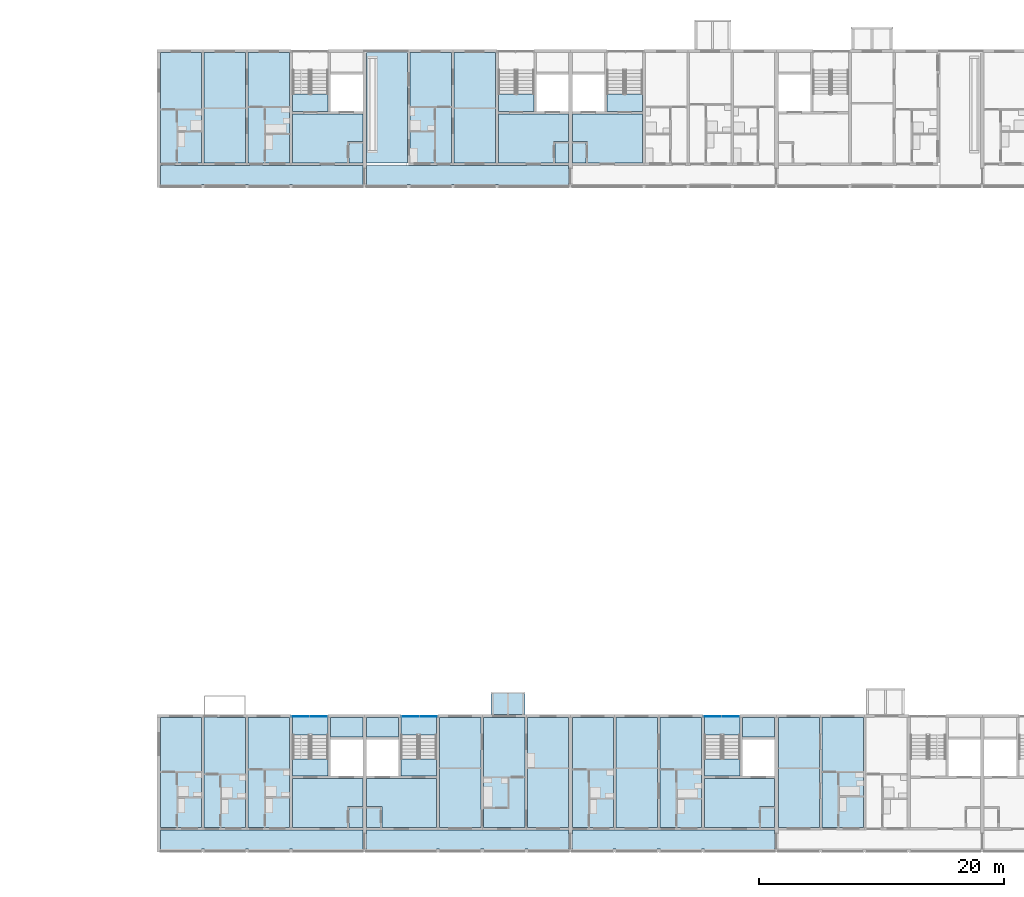
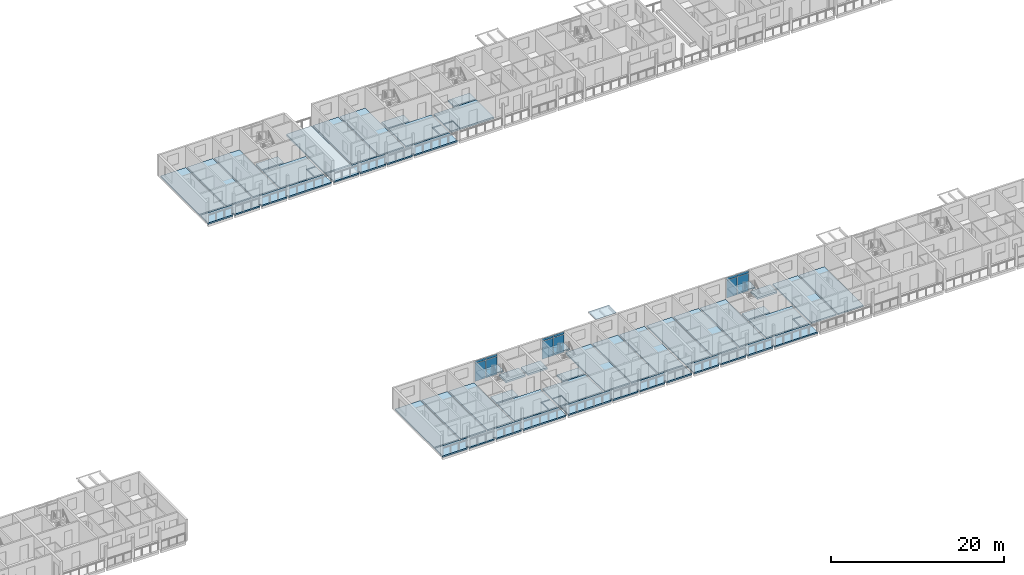
# One storey, part 26 of 94: 47 slabs, 12 plates, 6 elements without a shape of their own.
"""IFC4 building model written with IfcOpenShell, lengths in metres."""

from ifc_helpers import new_model, si_unit, direction, frame, origin, origin_2d, place, context, subcontext, project, spatial, polyline, rectangle, outline, extrude, material, layer, layer_set, type_object, element, aggregate, save


model = new_model("IFC4")

# Units and contexts
model_context = context("Model", 3, precision=1e-05, world=origin(), true_north=direction((0.0, 1.0)))
body_context = subcontext(model_context, "Body", "Model", "MODEL_VIEW")
ifc_project = project(units=[si_unit("LENGTHUNIT", "METRE"), si_unit("AREAUNIT", "SQUARE_METRE"), si_unit("VOLUMEUNIT", "CUBIC_METRE"), si_unit("PLANEANGLEUNIT", "RADIAN"), si_unit("MASSUNIT", "GRAM", prefix="KILO")], contexts=[model_context])

# Site, building, storey
site_placement = place(None, origin())
site = spatial("IfcSite", under=ifc_project, at=site_placement, CompositionType="ELEMENT")
building_placement = place(site_placement, origin())
building = spatial("IfcBuilding", under=site, at=building_placement, Name="Ridgestep Commons", CompositionType="ELEMENT")
storey_placement = place(building_placement, frame((0.0, 0.0, 21.0)))
storey = spatial("IfcBuildingStorey", under=building, at=storey_placement, Name="L07", CompositionType="ELEMENT", Elevation=21.0)

# Slabs
ifc_material_1 = material(Name="Precast concrete C40/50", Category="concrete")
ifc_layer_1 = layer(ifc_material_1, 0.199951171875)
ifc_layer_set_1 = layer_set([ifc_layer_1], Name="Gallery slab 200")
slab_type_1 = type_object("IfcSlabType", Name="Gallery slab 200", PredefinedType="FLOOR", material=ifc_layer_set_1)
slab_1_placement = place(storey_placement, frame((0.0, 0.0, -0.199951171875)))
element("IfcSlab", 1, at=slab_1_placement, inside=storey, type_object=slab_type_1, Name="Gallery slab C1 L07", PredefinedType="FLOOR", context=body_context, shape_type="SweptSolid", body=[
    extrude(outline(polyline([(163.449951171875, 67.800048828125), (146.949951171875, 67.800048828125), (146.949951171875, 66.0), (150.27490234375, 66.0), (150.27490234375, 66.25), (150.52490234375, 66.25), (150.52490234375, 66.0), (153.875, 66.0), (153.875, 66.25), (154.125, 66.25), (154.125, 66.0), (157.47509765625, 66.0), (157.47509765625, 66.25), (157.72509765625, 66.25), (157.72509765625, 66.0), (163.449951171875, 66.0), (163.449951171875, 67.800048828125)])), origin(), (0.0, 0.0, 1.0), 0.199951171875),
])
slab_2_placement = place(storey_placement, frame((0.0, 0.0, -0.199951171875)))
element("IfcSlab", 2, at=slab_2_placement, inside=storey, type_object=slab_type_1, Name="Gallery slab C2 L07", PredefinedType="FLOOR", context=body_context, shape_type="SweptSolid", body=[
    extrude(outline(polyline([(180.25, 67.800048828125), (163.75, 67.800048828125), (163.75, 66.0), (167.074951171875, 66.0), (167.074951171875, 66.25), (167.324951171875, 66.25), (167.324951171875, 66.0), (170.675048828125, 66.0), (170.675048828125, 66.25), (170.925048828125, 66.25), (170.925048828125, 66.0), (174.27490234375, 66.0), (174.27490234375, 66.25), (174.52490234375, 66.25), (174.52490234375, 66.0), (180.25, 66.0), (180.25, 67.800048828125)])), origin(), (0.0, 0.0, 1.0), 0.199951171875),
])
slab_3_placement = place(storey_placement, frame((0.0, 0.0, -0.199951171875)))
element("IfcSlab", 3, at=slab_3_placement, inside=storey, type_object=slab_type_1, Name="Gallery slab D1 L07", PredefinedType="FLOOR", context=body_context, shape_type="SweptSolid", body=[
    extrude(outline(polyline([(163.449951171875, 13.550048828125), (146.949951171875, 13.550048828125), (146.949951171875, 11.75), (150.27490234375, 11.75), (150.27490234375, 12.0), (150.52490234375, 12.0), (150.52490234375, 11.75), (153.875, 11.75), (153.875, 12.0), (154.125, 12.0), (154.125, 11.75), (157.47509765625, 11.75), (157.47509765625, 12.0), (157.72509765625, 12.0), (157.72509765625, 11.75), (163.449951171875, 11.75), (163.449951171875, 13.550048828125)])), origin(), (0.0, 0.0, 1.0), 0.199951171875),
])
slab_4_placement = place(storey_placement, frame((0.0, 0.0, -0.199951171875)))
element("IfcSlab", 4, at=slab_4_placement, inside=storey, type_object=slab_type_1, Name="Gallery slab D2 L07", PredefinedType="FLOOR", context=body_context, shape_type="SweptSolid", body=[
    extrude(outline(polyline([(180.25, 13.550048828125), (163.75, 13.550048828125), (163.75, 11.75), (169.47509765625, 11.75), (169.47509765625, 12.0), (169.72509765625, 12.0), (169.72509765625, 11.75), (173.074951171875, 11.75), (173.074951171875, 12.0), (173.324951171875, 12.0), (173.324951171875, 11.75), (176.675048828125, 11.75), (176.675048828125, 12.0), (176.925048828125, 12.0), (176.925048828125, 11.75), (180.25, 11.75), (180.25, 13.550048828125)])), origin(), (0.0, 0.0, 1.0), 0.199951171875),
])
slab_5_placement = place(storey_placement, frame((0.0, 0.0, -0.199951171875)))
element("IfcSlab", 5, at=slab_5_placement, inside=storey, type_object=slab_type_1, Name="Gallery slab D3 L07", PredefinedType="FLOOR", context=body_context, shape_type="SweptSolid", body=[
    extrude(outline(polyline([(197.050048828125, 13.550048828125), (180.550048828125, 13.550048828125), (180.550048828125, 11.75), (183.875, 11.75), (183.875, 12.0), (184.125, 12.0), (184.125, 11.75), (187.47509765625, 11.75), (187.47509765625, 12.0), (187.72509765625, 12.0), (187.72509765625, 11.75), (191.074951171875, 11.75), (191.074951171875, 12.0), (191.324951171875, 12.0), (191.324951171875, 11.75), (197.050048828125, 11.75), (197.050048828125, 13.550048828125)])), origin(), (0.0, 0.0, 1.0), 0.199951171875),
])

# Curtain wall, plates
ifc_material_2 = material(Name="Aluminium 6063-T6 and glass", Category="aluminium")
curtain_wall_type = type_object("IfcCurtainWallType", Name="Curtain wall stair strip", PredefinedType="NOTDEFINED", material=ifc_material_2)
curtain_wall_1_placement = place(storey_placement, origin())
curtain_wall_1 = element("IfcCurtainWall", 6, at=curtain_wall_1_placement, inside=storey, type_object=curtain_wall_type, Name="Curtain wall D1C level 07", PredefinedType="NOTDEFINED")
ifc_material_3 = material(Name="Glass laminated 6/16/6 low-emissivity", Category="glass")
ifc_layer_2 = layer(ifc_material_3, 0.028076171875)
ifc_layer_set_2 = layer_set([ifc_layer_2], Name="Glazing panel 28")
plate_type_1 = type_object("IfcPlateType", Name="Glazing panel 28", PredefinedType="CURTAIN_PANEL", material=ifc_layer_set_2)
plate_1_placement = place(storey_placement, frame((158.371337890625, 22.830078125, 0.06005859375), z_axis=(0.0, 0.0, 1.0), x_axis=(1.0, 0.0, 0.0)))
plate_1 = element("IfcPlate", 7, at=plate_1_placement, type_object=plate_type_1, Name="CW1 panel 1.1", PredefinedType="CURTAIN_PANEL", context=body_context, shape_type="SweptSolid", body=[
    extrude(rectangle(XDim=1.422607421875, YDim=0.028076171875, at=origin_2d()), origin(), (0.0, 0.0, 1.0), 2.5),
])
plate_2_placement = place(storey_placement, frame((159.853759765625, 22.830078125, 0.06005859375), z_axis=(0.0, 0.0, 1.0), x_axis=(1.0, 0.0, 0.0)))
plate_2 = element("IfcPlate", 8, at=plate_2_placement, type_object=plate_type_1, Name="CW1 panel 2.1", PredefinedType="CURTAIN_PANEL", context=body_context, shape_type="SweptSolid", body=[
    extrude(rectangle(XDim=1.422607421875, YDim=0.028076171875, at=origin_2d()), origin(), (0.0, 0.0, 1.0), 2.5),
])

curtain_wall_2_placement = place(storey_placement, origin())
curtain_wall_2 = element("IfcCurtainWall", 9, at=curtain_wall_2_placement, inside=storey, type_object=curtain_wall_type, Name="Curtain wall D2C level 07", PredefinedType="NOTDEFINED")
plate_3_placement = place(storey_placement, frame((167.34619140625, 22.830078125, 0.06005859375), z_axis=(0.0, 0.0, 1.0), x_axis=(1.0, 0.0, 0.0)))
plate_3 = element("IfcPlate", 10, at=plate_3_placement, type_object=plate_type_1, Name="CW1 panel 1.1", PredefinedType="CURTAIN_PANEL", context=body_context, shape_type="SweptSolid", body=[
    extrude(rectangle(XDim=1.422607421875, YDim=0.028076171875, at=origin_2d()), origin(), (0.0, 0.0, 1.0), 2.5),
])
plate_4_placement = place(storey_placement, frame((168.828857421875, 22.830078125, 0.06005859375), z_axis=(0.0, 0.0, 1.0), x_axis=(1.0, 0.0, 0.0)))
plate_4 = element("IfcPlate", 11, at=plate_4_placement, type_object=plate_type_1, Name="CW1 panel 2.1", PredefinedType="CURTAIN_PANEL", context=body_context, shape_type="SweptSolid", body=[
    extrude(rectangle(XDim=1.422607421875, YDim=0.028076171875, at=origin_2d()), origin(), (0.0, 0.0, 1.0), 2.5),
])

curtain_wall_3_placement = place(storey_placement, origin())
curtain_wall_3 = element("IfcCurtainWall", 12, at=curtain_wall_3_placement, inside=storey, type_object=curtain_wall_type, Name="Curtain wall D3C level 07", PredefinedType="NOTDEFINED")
plate_5_placement = place(storey_placement, frame((191.97119140625, 22.830078125, 0.06005859375), z_axis=(0.0, 0.0, 1.0), x_axis=(1.0, 0.0, 0.0)))
plate_5 = element("IfcPlate", 13, at=plate_5_placement, type_object=plate_type_1, Name="CW1 panel 1.1", PredefinedType="CURTAIN_PANEL", context=body_context, shape_type="SweptSolid", body=[
    extrude(rectangle(XDim=1.422607421875, YDim=0.028076171875, at=origin_2d()), origin(), (0.0, 0.0, 1.0), 2.5),
])
plate_6_placement = place(storey_placement, frame((193.453857421875, 22.830078125, 0.06005859375), z_axis=(0.0, 0.0, 1.0), x_axis=(1.0, 0.0, 0.0)))
plate_6 = element("IfcPlate", 14, at=plate_6_placement, type_object=plate_type_1, Name="CW1 panel 2.1", PredefinedType="CURTAIN_PANEL", context=body_context, shape_type="SweptSolid", body=[
    extrude(rectangle(XDim=1.422607421875, YDim=0.028076171875, at=origin_2d()), origin(), (0.0, 0.0, 1.0), 2.5),
])

# Slabs
ifc_material_4 = material(Name="Precast concrete C50/60", Category="concrete")
ifc_layer_3 = layer(ifc_material_4, 0.199951171875)
ifc_layer_set_3 = layer_set([ifc_layer_3], Name="Hollow-core plank 200")
slab_type_2 = type_object("IfcSlabType", Name="Hollow-core plank 200", PredefinedType="FLOOR", material=ifc_layer_set_3)
slab_6_placement = place(storey_placement, frame((0.0, 0.0, -0.199951171875)))
element("IfcSlab", 15, at=slab_6_placement, inside=storey, type_object=slab_type_2, Name="Floor plank C1T1 L07", PredefinedType="FLOOR", context=body_context, shape_type="SweptSolid", body=[
    extrude(outline(polyline([(150.300048828125, 68.0), (150.300048828125, 77.0), (146.949951171875, 77.0), (146.949951171875, 68.0), (150.300048828125, 68.0)])), origin(), (0.0, 0.0, 1.0), 0.199951171875),
])
slab_7_placement = place(storey_placement, frame((0.0, 0.0, -0.199951171875)))
element("IfcSlab", 16, at=slab_7_placement, inside=storey, type_object=slab_type_2, Name="Floor plank C1T2 L07", PredefinedType="FLOOR", context=body_context, shape_type="SweptSolid", body=[
    extrude(outline(polyline([(153.89990234375, 68.0), (153.89990234375, 77.0), (150.5, 77.0), (150.5, 68.0), (153.89990234375, 68.0)])), origin(), (0.0, 0.0, 1.0), 0.199951171875),
])
slab_8_placement = place(storey_placement, frame((0.0, 0.0, -0.199951171875)))
element("IfcSlab", 17, at=slab_8_placement, inside=storey, type_object=slab_type_2, Name="Floor plank C1T3 L07", PredefinedType="FLOOR", context=body_context, shape_type="SweptSolid", body=[
    extrude(outline(polyline([(157.47509765625, 68.0), (157.47509765625, 77.0), (154.10009765625, 77.0), (154.10009765625, 68.0), (157.47509765625, 68.0)])), origin(), (0.0, 0.0, 1.0), 0.199951171875),
])
slab_9_placement = place(storey_placement, frame((0.0, 0.0, -0.199951171875)))
element("IfcSlab", 18, at=slab_9_placement, inside=storey, type_object=slab_type_2, Name="Floor plank C2T2 L07", PredefinedType="FLOOR", context=body_context, shape_type="SweptSolid", body=[
    extrude(outline(polyline([(170.699951171875, 68.0), (170.699951171875, 77.0), (167.300048828125, 77.0), (167.300048828125, 68.0), (170.699951171875, 68.0)])), origin(), (0.0, 0.0, 1.0), 0.199951171875),
])
slab_10_placement = place(storey_placement, frame((0.0, 0.0, -0.199951171875)))
element("IfcSlab", 19, at=slab_10_placement, inside=storey, type_object=slab_type_2, Name="Floor plank C2T3 L07", PredefinedType="FLOOR", context=body_context, shape_type="SweptSolid", body=[
    extrude(outline(polyline([(174.27490234375, 68.0), (174.27490234375, 77.0), (170.89990234375, 77.0), (170.89990234375, 68.0), (174.27490234375, 68.0)])), origin(), (0.0, 0.0, 1.0), 0.199951171875),
])
slab_11_placement = place(storey_placement, frame((0.0, 0.0, -0.199951171875)))
element("IfcSlab", 20, at=slab_11_placement, inside=storey, type_object=slab_type_2, Name="Floor plank D1T1 L07", PredefinedType="FLOOR", context=body_context, shape_type="SweptSolid", body=[
    extrude(outline(polyline([(150.300048828125, 13.75), (150.300048828125, 22.75), (146.949951171875, 22.75), (146.949951171875, 13.75), (150.300048828125, 13.75)])), origin(), (0.0, 0.0, 1.0), 0.199951171875),
])
slab_12_placement = place(storey_placement, frame((0.0, 0.0, -0.199951171875)))
element("IfcSlab", 21, at=slab_12_placement, inside=storey, type_object=slab_type_2, Name="Floor plank D1T2 L07", PredefinedType="FLOOR", context=body_context, shape_type="SweptSolid", body=[
    extrude(outline(polyline([(153.89990234375, 13.75), (153.89990234375, 22.75), (150.5, 22.75), (150.5, 13.75), (153.89990234375, 13.75)])), origin(), (0.0, 0.0, 1.0), 0.199951171875),
])
slab_13_placement = place(storey_placement, frame((0.0, 0.0, -0.199951171875)))
element("IfcSlab", 22, at=slab_13_placement, inside=storey, type_object=slab_type_2, Name="Floor plank D1T3 L07", PredefinedType="FLOOR", context=body_context, shape_type="SweptSolid", body=[
    extrude(outline(polyline([(157.47509765625, 13.75), (157.47509765625, 22.75), (154.10009765625, 22.75), (154.10009765625, 13.75), (157.47509765625, 13.75)])), origin(), (0.0, 0.0, 1.0), 0.199951171875),
])
slab_14_placement = place(storey_placement, frame((0.0, 0.0, -0.199951171875)))
element("IfcSlab", 23, at=slab_14_placement, inside=storey, type_object=slab_type_2, Name="Floor plank D2T3 L07", PredefinedType="FLOOR", context=body_context, shape_type="SweptSolid", body=[
    extrude(outline(polyline([(173.10009765625, 13.75), (173.10009765625, 22.75), (169.72509765625, 22.75), (169.72509765625, 13.75), (173.10009765625, 13.75)])), origin(), (0.0, 0.0, 1.0), 0.199951171875),
])
slab_15_placement = place(storey_placement, frame((0.0, 0.0, -0.199951171875)))
element("IfcSlab", 24, at=slab_15_placement, inside=storey, type_object=slab_type_2, Name="Floor plank D2T2 L07", PredefinedType="FLOOR", context=body_context, shape_type="SweptSolid", body=[
    extrude(outline(polyline([(176.699951171875, 13.75), (176.699951171875, 22.75), (173.300048828125, 22.75), (173.300048828125, 13.75), (176.699951171875, 13.75)])), origin(), (0.0, 0.0, 1.0), 0.199951171875),
])
slab_16_placement = place(storey_placement, frame((0.0, 0.0, -0.199951171875)))
element("IfcSlab", 25, at=slab_16_placement, inside=storey, type_object=slab_type_2, Name="Floor plank D2T1 L07", PredefinedType="FLOOR", context=body_context, shape_type="SweptSolid", body=[
    extrude(outline(polyline([(180.25, 13.75), (180.25, 22.75), (176.89990234375, 22.75), (176.89990234375, 13.75), (180.25, 13.75)])), origin(), (0.0, 0.0, 1.0), 0.199951171875),
])
slab_17_placement = place(storey_placement, frame((0.0, 0.0, -0.199951171875)))
element("IfcSlab", 26, at=slab_17_placement, inside=storey, type_object=slab_type_2, Name="Floor plank D3T1 L07", PredefinedType="FLOOR", context=body_context, shape_type="SweptSolid", body=[
    extrude(outline(polyline([(183.89990234375, 13.75), (183.89990234375, 22.75), (180.550048828125, 22.75), (180.550048828125, 13.75), (183.89990234375, 13.75)])), origin(), (0.0, 0.0, 1.0), 0.199951171875),
])
slab_18_placement = place(storey_placement, frame((0.0, 0.0, -0.199951171875)))
element("IfcSlab", 27, at=slab_18_placement, inside=storey, type_object=slab_type_2, Name="Floor plank D3T2 L07", PredefinedType="FLOOR", context=body_context, shape_type="SweptSolid", body=[
    extrude(outline(polyline([(187.5, 13.75), (187.5, 22.75), (184.10009765625, 22.75), (184.10009765625, 13.75), (187.5, 13.75)])), origin(), (0.0, 0.0, 1.0), 0.199951171875),
])
slab_19_placement = place(storey_placement, frame((0.0, 0.0, -0.199951171875)))
element("IfcSlab", 28, at=slab_19_placement, inside=storey, type_object=slab_type_2, Name="Floor plank D3T3 L07", PredefinedType="FLOOR", context=body_context, shape_type="SweptSolid", body=[
    extrude(outline(polyline([(191.074951171875, 13.75), (191.074951171875, 22.75), (187.699951171875, 22.75), (187.699951171875, 13.75), (191.074951171875, 13.75)])), origin(), (0.0, 0.0, 1.0), 0.199951171875),
])
slab_20_placement = place(storey_placement, frame((0.0, 0.0, -0.199951171875)))
element("IfcSlab", 29, at=slab_20_placement, inside=storey, type_object=slab_type_2, Name="Floor plank D4T1 L07", PredefinedType="FLOOR", context=body_context, shape_type="SweptSolid", body=[
    extrude(outline(polyline([(200.699951171875, 13.75), (200.699951171875, 22.75), (197.35009765625, 22.75), (197.35009765625, 13.75), (200.699951171875, 13.75)])), origin(), (0.0, 0.0, 1.0), 0.199951171875),
])
slab_21_placement = place(storey_placement, frame((0.0, 0.0, -0.199951171875)))
element("IfcSlab", 30, at=slab_21_placement, inside=storey, type_object=slab_type_2, Name="Floor plank D4T2 L07", PredefinedType="FLOOR", context=body_context, shape_type="SweptSolid", body=[
    extrude(outline(polyline([(204.300048828125, 13.75), (204.300048828125, 22.75), (200.89990234375, 22.75), (200.89990234375, 13.75), (204.300048828125, 13.75)])), origin(), (0.0, 0.0, 1.0), 0.199951171875),
])
ifc_material_5 = material(Name="Precast concrete C50/60", Category="concrete")
ifc_layer_4 = layer(ifc_material_5, 0.25)
ifc_layer_set_4 = layer_set([ifc_layer_4], Name="Hollow-core plank 250")
slab_type_3 = type_object("IfcSlabType", Name="Hollow-core plank 250", PredefinedType="FLOOR", material=ifc_layer_set_4)
slab_22_placement = place(storey_placement, frame((0.0, 0.0, -0.25)))
element("IfcSlab", 31, at=slab_22_placement, inside=storey, type_object=slab_type_3, Name="Floor plank C1C L07", PredefinedType="FLOOR", context=body_context, shape_type="SweptSolid", body=[
    extrude(outline(polyline([(162.320068359375, 69.719970703125), (163.449951171875, 69.719970703125), (163.449951171875, 72.0), (157.72509765625, 72.0), (157.72509765625, 68.0), (162.199951171875, 68.0), (162.199951171875, 69.719970703125), (162.320068359375, 69.719970703125)])), origin(), (0.0, 0.0, 1.0), 0.25),
])
slab_23_placement = place(storey_placement, frame((0.0, 0.0, -0.25)))
element("IfcSlab", 32, at=slab_23_placement, inside=storey, type_object=slab_type_3, Name="Floor plank C1C L07", PredefinedType="FLOOR", context=body_context, shape_type="SweptSolid", body=[
    extrude(outline(polyline([(160.625, 72.199951171875), (160.625, 73.60009765625), (157.72509765625, 73.60009765625), (157.72509765625, 72.199951171875), (160.625, 72.199951171875)])), origin(), (0.0, 0.0, 1.0), 0.25),
])
slab_24_placement = place(storey_placement, frame((0.0, 0.0, -0.25)))
element("IfcSlab", 33, at=slab_24_placement, inside=storey, type_object=slab_type_3, Name="Floor plank C1C L07", PredefinedType="FLOOR", context=body_context, shape_type="SweptSolid", body=[
    extrude(outline(polyline([(162.320068359375, 68.0), (163.449951171875, 68.0), (163.449951171875, 69.60009765625), (162.320068359375, 69.60009765625), (162.320068359375, 68.0)])), origin(), (0.0, 0.0, 1.0), 0.25),
])
slab_25_placement = place(storey_placement, frame((0.0, 0.0, -0.25)))
element("IfcSlab", 34, at=slab_25_placement, inside=storey, type_object=slab_type_3, Name="Floor plank C2C L07", PredefinedType="FLOOR", context=body_context, shape_type="SweptSolid", body=[
    extrude(outline(polyline([(179.1201171875, 69.719970703125), (180.25, 69.719970703125), (180.25, 72.0), (174.52490234375, 72.0), (174.52490234375, 68.0), (179.0, 68.0), (179.0, 69.719970703125), (179.1201171875, 69.719970703125)])), origin(), (0.0, 0.0, 1.0), 0.25),
])
slab_26_placement = place(storey_placement, frame((0.0, 0.0, -0.25)))
element("IfcSlab", 35, at=slab_26_placement, inside=storey, type_object=slab_type_3, Name="Floor plank C2C L07", PredefinedType="FLOOR", context=body_context, shape_type="SweptSolid", body=[
    extrude(outline(polyline([(177.425048828125, 72.199951171875), (177.425048828125, 73.60009765625), (174.52490234375, 73.60009765625), (174.52490234375, 72.199951171875), (177.425048828125, 72.199951171875)])), origin(), (0.0, 0.0, 1.0), 0.25),
])
slab_27_placement = place(storey_placement, frame((0.0, 0.0, -0.25)))
element("IfcSlab", 36, at=slab_27_placement, inside=storey, type_object=slab_type_3, Name="Floor plank C2C L07", PredefinedType="FLOOR", context=body_context, shape_type="SweptSolid", body=[
    extrude(outline(polyline([(179.1201171875, 68.0), (180.25, 68.0), (180.25, 69.60009765625), (179.1201171875, 69.60009765625), (179.1201171875, 68.0)])), origin(), (0.0, 0.0, 1.0), 0.25),
])
slab_28_placement = place(storey_placement, frame((0.0, 0.0, -0.25)))
element("IfcSlab", 37, at=slab_28_placement, inside=storey, type_object=slab_type_3, Name="Floor plank C3C L07", PredefinedType="FLOOR", context=body_context, shape_type="SweptSolid", body=[
    extrude(outline(polyline([(181.800048828125, 68.0), (186.27490234375, 68.0), (186.27490234375, 72.0), (180.550048828125, 72.0), (180.550048828125, 69.719970703125), (181.679931640625, 69.719970703125), (181.800048828125, 69.719970703125), (181.800048828125, 68.0)])), origin(), (0.0, 0.0, 1.0), 0.25),
])
slab_29_placement = place(storey_placement, frame((0.0, 0.0, -0.25)))
element("IfcSlab", 38, at=slab_29_placement, inside=storey, type_object=slab_type_3, Name="Floor plank C3C L07", PredefinedType="FLOOR", context=body_context, shape_type="SweptSolid", body=[
    extrude(outline(polyline([(186.27490234375, 72.199951171875), (186.27490234375, 73.60009765625), (183.375, 73.60009765625), (183.375, 72.199951171875), (186.27490234375, 72.199951171875)])), origin(), (0.0, 0.0, 1.0), 0.25),
])
slab_30_placement = place(storey_placement, frame((0.0, 0.0, -0.25)))
element("IfcSlab", 39, at=slab_30_placement, inside=storey, type_object=slab_type_3, Name="Floor plank C3C L07", PredefinedType="FLOOR", context=body_context, shape_type="SweptSolid", body=[
    extrude(outline(polyline([(181.679931640625, 69.60009765625), (180.550048828125, 69.60009765625), (180.550048828125, 68.0), (181.679931640625, 68.0), (181.679931640625, 69.60009765625)])), origin(), (0.0, 0.0, 1.0), 0.25),
])
slab_31_placement = place(storey_placement, frame((0.0, 0.0, -0.25)))
element("IfcSlab", 40, at=slab_31_placement, inside=storey, type_object=slab_type_3, Name="Floor plank D1C L07", PredefinedType="FLOOR", context=body_context, shape_type="SweptSolid", body=[
    extrude(outline(polyline([(162.320068359375, 15.469970703125), (163.449951171875, 15.469970703125), (163.449951171875, 17.75), (157.72509765625, 17.75), (157.72509765625, 13.75), (162.199951171875, 13.75), (162.199951171875, 15.469970703125), (162.320068359375, 15.469970703125)])), origin(), (0.0, 0.0, 1.0), 0.25),
])
slab_32_placement = place(storey_placement, frame((0.0, 0.0, -0.25)))
element("IfcSlab", 41, at=slab_32_placement, inside=storey, type_object=slab_type_3, Name="Floor plank D1C L07", PredefinedType="FLOOR", context=body_context, shape_type="SweptSolid", body=[
    extrude(outline(polyline([(163.449951171875, 21.14990234375), (163.449951171875, 22.75), (160.824951171875, 22.75), (160.824951171875, 21.14990234375), (163.449951171875, 21.14990234375)])), origin(), (0.0, 0.0, 1.0), 0.25),
])
slab_33_placement = place(storey_placement, frame((0.0, 0.0, -0.25)))
element("IfcSlab", 42, at=slab_33_placement, inside=storey, type_object=slab_type_3, Name="Floor plank D1C L07", PredefinedType="FLOOR", context=body_context, shape_type="SweptSolid", body=[
    extrude(outline(polyline([(160.625, 17.949951171875), (160.625, 19.35009765625), (157.72509765625, 19.35009765625), (157.72509765625, 17.949951171875), (160.625, 17.949951171875)])), origin(), (0.0, 0.0, 1.0), 0.25),
])
slab_34_placement = place(storey_placement, frame((0.0, 0.0, -0.25)))
element("IfcSlab", 43, at=slab_34_placement, inside=storey, type_object=slab_type_3, Name="Floor plank D1C L07", PredefinedType="FLOOR", context=body_context, shape_type="SweptSolid", body=[
    extrude(outline(polyline([(162.320068359375, 13.75), (163.449951171875, 13.75), (163.449951171875, 15.35009765625), (162.320068359375, 15.35009765625), (162.320068359375, 13.75)])), origin(), (0.0, 0.0, 1.0), 0.25),
])
slab_35_placement = place(storey_placement, frame((0.0, 0.0, -0.25)))
element("IfcSlab", 44, at=slab_35_placement, inside=storey, type_object=slab_type_3, Name="Floor plank D2C L07", PredefinedType="FLOOR", context=body_context, shape_type="SweptSolid", body=[
    extrude(outline(polyline([(165.0, 13.75), (169.47509765625, 13.75), (169.47509765625, 17.75), (163.75, 17.75), (163.75, 15.469970703125), (164.8798828125, 15.469970703125), (165.0, 15.469970703125), (165.0, 13.75)])), origin(), (0.0, 0.0, 1.0), 0.25),
])
slab_36_placement = place(storey_placement, frame((0.0, 0.0, -0.25)))
element("IfcSlab", 45, at=slab_36_placement, inside=storey, type_object=slab_type_3, Name="Floor plank D2C L07", PredefinedType="FLOOR", context=body_context, shape_type="SweptSolid", body=[
    extrude(outline(polyline([(166.375, 22.75), (163.75, 22.75), (163.75, 21.14990234375), (166.375, 21.14990234375), (166.375, 22.75)])), origin(), (0.0, 0.0, 1.0), 0.25),
])
slab_37_placement = place(storey_placement, frame((0.0, 0.0, -0.25)))
element("IfcSlab", 46, at=slab_37_placement, inside=storey, type_object=slab_type_3, Name="Floor plank D2C L07", PredefinedType="FLOOR", context=body_context, shape_type="SweptSolid", body=[
    extrude(outline(polyline([(169.47509765625, 17.949951171875), (169.47509765625, 19.35009765625), (166.574951171875, 19.35009765625), (166.574951171875, 17.949951171875), (169.47509765625, 17.949951171875)])), origin(), (0.0, 0.0, 1.0), 0.25),
])
slab_38_placement = place(storey_placement, frame((0.0, 0.0, -0.25)))
element("IfcSlab", 47, at=slab_38_placement, inside=storey, type_object=slab_type_3, Name="Floor plank D2C L07", PredefinedType="FLOOR", context=body_context, shape_type="SweptSolid", body=[
    extrude(outline(polyline([(164.8798828125, 15.35009765625), (163.75, 15.35009765625), (163.75, 13.75), (164.8798828125, 13.75), (164.8798828125, 15.35009765625)])), origin(), (0.0, 0.0, 1.0), 0.25),
])
slab_39_placement = place(storey_placement, frame((0.0, 0.0, -0.25)))
element("IfcSlab", 48, at=slab_39_placement, inside=storey, type_object=slab_type_3, Name="Floor plank D3C L07", PredefinedType="FLOOR", context=body_context, shape_type="SweptSolid", body=[
    extrude(outline(polyline([(195.919921875, 15.469970703125), (197.050048828125, 15.469970703125), (197.050048828125, 17.75), (191.324951171875, 17.75), (191.324951171875, 13.75), (195.800048828125, 13.75), (195.800048828125, 15.469970703125), (195.919921875, 15.469970703125)])), origin(), (0.0, 0.0, 1.0), 0.25),
])
slab_40_placement = place(storey_placement, frame((0.0, 0.0, -0.25)))
element("IfcSlab", 49, at=slab_40_placement, inside=storey, type_object=slab_type_3, Name="Floor plank D3C L07", PredefinedType="FLOOR", context=body_context, shape_type="SweptSolid", body=[
    extrude(outline(polyline([(197.050048828125, 21.14990234375), (197.050048828125, 22.75), (194.425048828125, 22.75), (194.425048828125, 21.14990234375), (197.050048828125, 21.14990234375)])), origin(), (0.0, 0.0, 1.0), 0.25),
])
slab_41_placement = place(storey_placement, frame((0.0, 0.0, -0.25)))
element("IfcSlab", 50, at=slab_41_placement, inside=storey, type_object=slab_type_3, Name="Floor plank D3C L07", PredefinedType="FLOOR", context=body_context, shape_type="SweptSolid", body=[
    extrude(outline(polyline([(194.22509765625, 17.949951171875), (194.22509765625, 19.35009765625), (191.324951171875, 19.35009765625), (191.324951171875, 17.949951171875), (194.22509765625, 17.949951171875)])), origin(), (0.0, 0.0, 1.0), 0.25),
])
slab_42_placement = place(storey_placement, frame((0.0, 0.0, -0.25)))
element("IfcSlab", 51, at=slab_42_placement, inside=storey, type_object=slab_type_3, Name="Floor plank D3C L07", PredefinedType="FLOOR", context=body_context, shape_type="SweptSolid", body=[
    extrude(outline(polyline([(195.919921875, 13.75), (197.050048828125, 13.75), (197.050048828125, 15.35009765625), (195.919921875, 15.35009765625), (195.919921875, 13.75)])), origin(), (0.0, 0.0, 1.0), 0.25),
])
ifc_material_6 = material(Name="Precast concrete C50/60", Category="concrete")
ifc_layer_5 = layer(ifc_material_6, 0.25)
ifc_layer_set_5 = layer_set([ifc_layer_5], Name="Roof slab 250")
slab_type_4 = type_object("IfcSlabType", Name="Roof slab 250", PredefinedType="ROOF", material=ifc_layer_set_5)
slab_43_placement = place(storey_placement, frame((0.0, 0.0, -0.25)))
element("IfcSlab", 52, at=slab_43_placement, inside=storey, type_object=slab_type_4, Name="Terrace slab C2T1", PredefinedType="ROOF", context=body_context, shape_type="SweptSolid", body=[
    extrude(outline(polyline([(167.10009765625, 68.0), (167.10009765625, 77.0), (163.75, 77.0), (163.75, 68.0), (167.10009765625, 68.0)])), origin(), (0.0, 0.0, 1.0), 0.25),
])

# Plate
ifc_material_7 = material(Name="Aluminium 6063-T6 and mineral wool", Category="aluminium")
ifc_layer_6 = layer(ifc_material_7, 0.0400390625)
ifc_layer_set_6 = layer_set([ifc_layer_6], Name="Spandrel panel 40")
plate_type_2 = type_object("IfcPlateType", Name="Spandrel panel 40", PredefinedType="CURTAIN_PANEL", material=ifc_layer_set_6)
plate_7_placement = place(storey_placement, frame((158.371337890625, 22.830078125, 2.6201171875), z_axis=(0.0, 0.0, 1.0), x_axis=(1.0, 0.0, 0.0)))
plate_7 = element("IfcPlate", 53, at=plate_7_placement, type_object=plate_type_2, Name="CW1 panel 1.2", PredefinedType="CURTAIN_PANEL", context=body_context, shape_type="SweptSolid", body=[
    extrude(rectangle(XDim=1.422607421875, YDim=0.0400390625, at=origin_2d()), origin(), (0.0, 0.0, 1.0), 0.320068359375),
])

plate_8_placement = place(storey_placement, frame((159.853759765625, 22.830078125, 2.6201171875), z_axis=(0.0, 0.0, 1.0), x_axis=(1.0, 0.0, 0.0)))
plate_8 = element("IfcPlate", 54, at=plate_8_placement, type_object=plate_type_2, Name="CW1 panel 2.2", PredefinedType="CURTAIN_PANEL", context=body_context, shape_type="SweptSolid", body=[
    extrude(rectangle(XDim=1.422607421875, YDim=0.0400390625, at=origin_2d()), origin(), (0.0, 0.0, 1.0), 0.320068359375),
])

aggregate(curtain_wall_1, [plate_1, plate_7, plate_2, plate_8])

plate_9_placement = place(storey_placement, frame((167.34619140625, 22.830078125, 2.6201171875), z_axis=(0.0, 0.0, 1.0), x_axis=(1.0, 0.0, 0.0)))
plate_9 = element("IfcPlate", 55, at=plate_9_placement, type_object=plate_type_2, Name="CW1 panel 1.2", PredefinedType="CURTAIN_PANEL", context=body_context, shape_type="SweptSolid", body=[
    extrude(rectangle(XDim=1.422607421875, YDim=0.0400390625, at=origin_2d()), origin(), (0.0, 0.0, 1.0), 0.320068359375),
])

plate_10_placement = place(storey_placement, frame((168.828857421875, 22.830078125, 2.6201171875), z_axis=(0.0, 0.0, 1.0), x_axis=(1.0, 0.0, 0.0)))
plate_10 = element("IfcPlate", 56, at=plate_10_placement, type_object=plate_type_2, Name="CW1 panel 2.2", PredefinedType="CURTAIN_PANEL", context=body_context, shape_type="SweptSolid", body=[
    extrude(rectangle(XDim=1.422607421875, YDim=0.0400390625, at=origin_2d()), origin(), (0.0, 0.0, 1.0), 0.320068359375),
])

aggregate(curtain_wall_2, [plate_3, plate_9, plate_4, plate_10])

plate_11_placement = place(storey_placement, frame((191.97119140625, 22.830078125, 2.6201171875), z_axis=(0.0, 0.0, 1.0), x_axis=(1.0, 0.0, 0.0)))
plate_11 = element("IfcPlate", 57, at=plate_11_placement, type_object=plate_type_2, Name="CW1 panel 1.2", PredefinedType="CURTAIN_PANEL", context=body_context, shape_type="SweptSolid", body=[
    extrude(rectangle(XDim=1.422607421875, YDim=0.0400390625, at=origin_2d()), origin(), (0.0, 0.0, 1.0), 0.320068359375),
])

plate_12_placement = place(storey_placement, frame((193.453857421875, 22.830078125, 2.6201171875), z_axis=(0.0, 0.0, 1.0), x_axis=(1.0, 0.0, 0.0)))
plate_12 = element("IfcPlate", 58, at=plate_12_placement, type_object=plate_type_2, Name="CW1 panel 2.2", PredefinedType="CURTAIN_PANEL", context=body_context, shape_type="SweptSolid", body=[
    extrude(rectangle(XDim=1.422607421875, YDim=0.0400390625, at=origin_2d()), origin(), (0.0, 0.0, 1.0), 0.320068359375),
])

aggregate(curtain_wall_3, [plate_5, plate_11, plate_6, plate_12])

# Stair, slab
ifc_material_8 = material(Name="Precast concrete C40/50", Category="concrete")
stair_type = type_object("IfcStairType", Name="Escape stair 1400", PredefinedType="HALF_TURN_STAIR", material=ifc_material_8)
stair_1_placement = place(storey_placement, origin())
stair_1 = element("IfcStair", 59, at=stair_1_placement, inside=storey, type_object=stair_type, Name="L07 Escape stair D1C", PredefinedType="HALF_TURN_STAIR")
ifc_material_9 = material(Name="Precast concrete C40/50", Category="concrete")
ifc_layer_7 = layer(ifc_material_9, 0.199951171875)
ifc_layer_set_7 = layer_set([ifc_layer_7], Name="Stair landing 200")
slab_type_5 = type_object("IfcSlabType", Name="Stair landing 200", PredefinedType="LANDING", material=ifc_layer_set_7)
slab_44_placement = place(storey_placement, frame((0.0, 0.0, 1.300048828125)))
slab_44 = element("IfcSlab", 60, at=slab_44_placement, type_object=slab_type_5, Name="D1C landing 1", PredefinedType="LANDING", context=body_context, shape_type="SweptSolid", body=[
    extrude(outline(polyline([(160.625, 21.31005859375), (160.625, 22.75), (157.72509765625, 22.75), (157.72509765625, 21.31005859375), (160.625, 21.31005859375)])), origin(), (0.0, 0.0, 1.0), 0.199951171875),
])
aggregate(stair_1, [slab_44])

stair_2_placement = place(storey_placement, origin())
stair_2 = element("IfcStair", 61, at=stair_2_placement, inside=storey, type_object=stair_type, Name="L07 Escape stair D2C", PredefinedType="HALF_TURN_STAIR")
slab_45_placement = place(storey_placement, frame((0.0, 0.0, 1.300048828125)))
slab_45 = element("IfcSlab", 62, at=slab_45_placement, type_object=slab_type_5, Name="D2C landing 1", PredefinedType="LANDING", context=body_context, shape_type="SweptSolid", body=[
    extrude(outline(polyline([(169.47509765625, 21.31005859375), (169.47509765625, 22.75), (166.574951171875, 22.75), (166.574951171875, 21.31005859375), (169.47509765625, 21.31005859375)])), origin(), (0.0, 0.0, 1.0), 0.199951171875),
])
aggregate(stair_2, [slab_45])

stair_3_placement = place(storey_placement, origin())
stair_3 = element("IfcStair", 63, at=stair_3_placement, inside=storey, type_object=stair_type, Name="L07 Escape stair D3C", PredefinedType="HALF_TURN_STAIR")
slab_46_placement = place(storey_placement, frame((0.0, 0.0, 1.300048828125)))
slab_46 = element("IfcSlab", 64, at=slab_46_placement, type_object=slab_type_5, Name="D3C landing 1", PredefinedType="LANDING", context=body_context, shape_type="SweptSolid", body=[
    extrude(outline(polyline([(194.22509765625, 21.31005859375), (194.22509765625, 22.75), (191.324951171875, 22.75), (191.324951171875, 21.31005859375), (194.22509765625, 21.31005859375)])), origin(), (0.0, 0.0, 1.0), 0.199951171875),
])
aggregate(stair_3, [slab_46])

# Slab
ifc_material_10 = material(Name="Weathering steel S355J2W", Category="steel")
ifc_layer_8 = layer(ifc_material_10, 0.010009765625)
ifc_layer_set_8 = layer_set([ifc_layer_8], Name="Tray 2.8 x 1.8")
slab_type_6 = type_object("IfcSlabType", Name="Tray 2.8 x 1.8", PredefinedType="FLOOR", material=ifc_layer_set_8)
slab_47_placement = place(storey_placement, frame((0.0, 0.0, 2.989990234375)))
element("IfcSlab", 65, at=slab_47_placement, inside=storey, type_object=slab_type_6, Name="Tray deck D2T2-08", PredefinedType="FLOOR", context=body_context, shape_type="SweptSolid", body=[
    extrude(outline(polyline([(173.929931640625, 23.0), (176.669921875, 23.0), (176.669921875, 24.800048828125), (173.929931640625, 24.800048828125), (173.929931640625, 23.0)])), origin(), (0.0, 0.0, 1.0), 0.010009765625),
])

save(model, "model.ifc")
